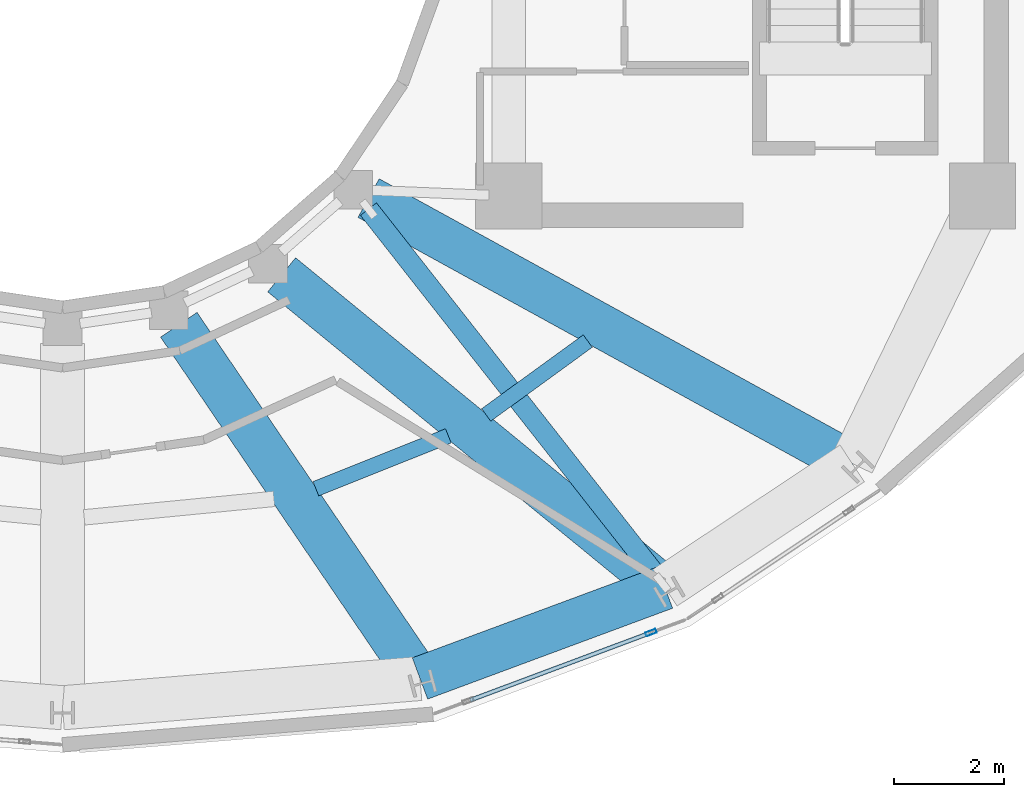
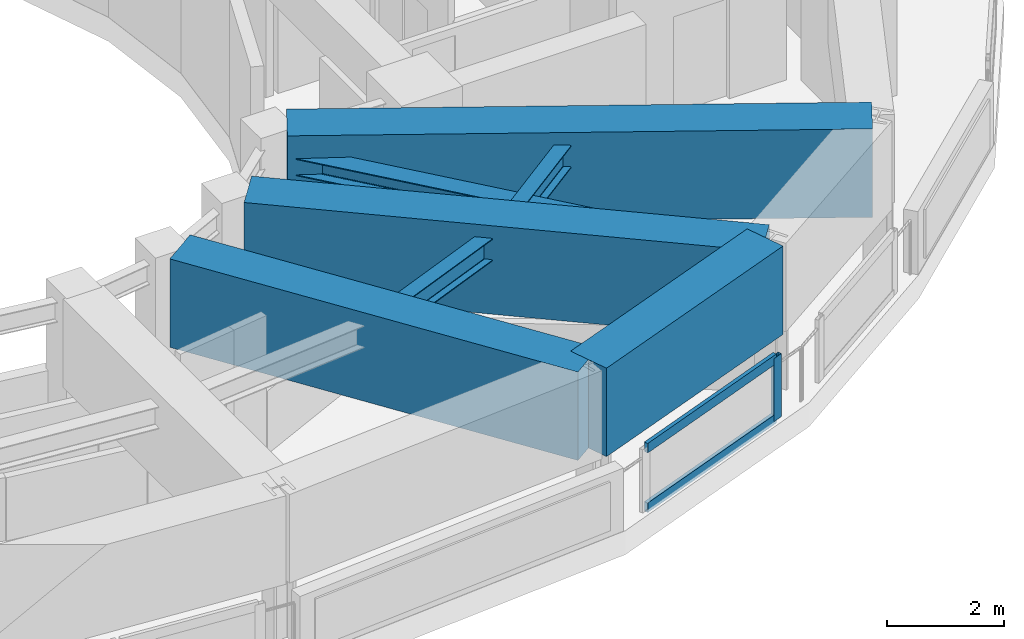
# One storey, part 6 of 21: 6 beams, 4 members, 1 element without a shape of its own.
"""IFC4 building model written with IfcOpenShell, lengths in metres."""

import ifcopenshell
import ifcopenshell.guid

model = None  # the IFC model being written
_history = None  # IfcOwnerHistory: only IFC2X3 demands one
_inside = {}  # id of a spatial element -> (the spatial element, [elements in it])
_under = {}  # id of a project, library or spatial element -> (it, [spatial elements below it])
_declared = {}  # id of a project -> (the project, [libraries it declares])
_typed = {}  # id of a type object -> (the type object, [elements of that type])
_made_of = {}  # id of a material, layer set ... -> (it, [elements and type objects made of it])


def new_model(schema):
    """Start an empty IFC model of exactly this schema.

    Asked for "IFC4X3", IfcOpenShell would pick the latest addendum, in which some entities
    have other attributes; the version numbers below select the first issue.
    IFC2X3 requires an IfcOwnerHistory on every rooted entity: one is made here for all.
    """
    global model, _history
    if schema == "IFC4X3":
        model = ifcopenshell.file(schema_version=(4, 3, 0, 0))
    else:
        model = ifcopenshell.file(schema=schema)
    _inside.clear()
    _under.clear()
    _declared.clear()
    _typed.clear()
    _made_of.clear()
    _history = None
    if model.schema == "IFC2X3":
        org = make("IfcOrganization", Name="unknown")
        user = make(
            "IfcPersonAndOrganization",
            ThePerson=make("IfcPerson", FamilyName="unknown"),
            TheOrganization=org,
        )
        app = make(
            "IfcApplication",
            ApplicationDeveloper=org,
            Version="unknown",
            ApplicationFullName="unknown",
            ApplicationIdentifier="unknown",
        )
        _history = make(
            "IfcOwnerHistory",
            OwningUser=user,
            OwningApplication=app,
            ChangeAction="ADDED",
            CreationDate=0,
        )
    return model


def make(cls, **values):
    """One entity of the class cls with the attributes given. An attribute that is None is left unset."""
    return model.create_entity(
        cls, **{name: value for name, value in values.items() if value is not None}
    )


def rooted(cls, **values):
    """An entity with a GlobalId (a new one), such as an element, a storey or a relation."""
    return make(cls, GlobalId=ifcopenshell.guid.new(), OwnerHistory=_history, **values)


def si_unit(unit_type, name, prefix=None):
    """IfcSIUnit, for example si_unit("LENGTHUNIT", "METRE", prefix="MILLI")."""
    return make("IfcSIUnit", UnitType=unit_type, Prefix=prefix, Name=name)


def assignment(units):
    """IfcUnitAssignment: the units of a project."""
    return None if units is None else make("IfcUnitAssignment", Units=units)


def point(xyz):
    """IfcCartesianPoint."""
    return None if xyz is None else make("IfcCartesianPoint", Coordinates=xyz)


def direction(xyz):
    """IfcDirection."""
    return None if xyz is None else make("IfcDirection", DirectionRatios=xyz)


def frame(location, z_axis=None, x_axis=None):
    """IfcAxis2Placement3D, a coordinate frame: its origin and axes. An axis left out is left unset."""
    return make(
        "IfcAxis2Placement3D",
        Location=point(location),
        Axis=direction(z_axis),
        RefDirection=direction(x_axis),
    )


def frame_2d(location, x_axis=None):
    """IfcAxis2Placement2D, a coordinate frame in the plane: its origin and x axis."""
    return make(
        "IfcAxis2Placement2D", Location=point(location), RefDirection=direction(x_axis)
    )


def origin():
    """The frame at (0, 0, 0) with its axes left unset."""
    return frame((0.0, 0.0, 0.0))


def origin_2d():
    """The frame at (0, 0) in the plane with its x axis left unset."""
    return frame_2d((0.0, 0.0))


def place(relative_to, where):
    """IfcLocalPlacement: puts the frame where relative to a parent placement (None: the world)."""
    return make(
        "IfcLocalPlacement", PlacementRelTo=relative_to, RelativePlacement=where
    )


def context(
    kind, dimensions, precision=None, world=None, true_north=None, identifier=None
):
    """IfcGeometricRepresentationContext, for example the 3D "Model" context."""
    return make(
        "IfcGeometricRepresentationContext",
        ContextIdentifier=identifier,
        ContextType=kind,
        CoordinateSpaceDimension=dimensions,
        Precision=precision,
        WorldCoordinateSystem=world,
        TrueNorth=true_north,
    )


def subcontext(parent, identifier, kind, view, scale=None):
    """IfcGeometricRepresentationSubContext, for example "Body" below "Model"."""
    return make(
        "IfcGeometricRepresentationSubContext",
        ContextIdentifier=identifier,
        ContextType=kind,
        ParentContext=parent,
        TargetScale=scale,
        TargetView=view,
    )


def project(units=None, contexts=None):
    """IfcProject with its units and contexts."""
    return rooted(
        "IfcProject",
        Name="project",
        RepresentationContexts=contexts,
        UnitsInContext=assignment(units),
    )


def spatial(cls, under=None, at=None, **own):
    """A site, building, storey or space (cls), placed at a placement, below another one or the project."""
    s = rooted(cls, ObjectPlacement=at, **own)
    if under is not None:
        _under.setdefault(under.id(), (under, []))[1].append(s)
    return s


def profile(cls, at=None, kind="AREA", **sizes):
    """A parametric profile (cls). Its sizes go by their IFC names, for example OverallWidth=200.0."""
    return make(cls, ProfileType=kind, Position=at, **sizes)


def rectangle(**sizes):
    """IfcRectangleProfileDef."""
    return profile("IfcRectangleProfileDef", **sizes)


def hollow_rectangle(**sizes):
    """IfcRectangleHollowProfileDef."""
    return profile("IfcRectangleHollowProfileDef", **sizes)


def i_section(**sizes):
    """IfcIShapeProfileDef."""
    return profile("IfcIShapeProfileDef", **sizes)


def extrude(swept, where, along, depth):
    """IfcExtrudedAreaSolid: the profile swept, set in the frame where, extruded along a direction by depth."""
    return make(
        "IfcExtrudedAreaSolid",
        SweptArea=swept,
        Position=where,
        ExtrudedDirection=direction(along),
        Depth=depth,
    )


def shape(context_of_items, identifier, shape_type, items):
    """IfcShapeRepresentation: the items that make up one representation, for example the "Body"."""
    return make(
        "IfcShapeRepresentation",
        ContextOfItems=context_of_items,
        RepresentationIdentifier=identifier,
        RepresentationType=shape_type,
        Items=items,
    )


def material(Name=None, Category=None):
    """IfcMaterial."""
    return make("IfcMaterial", Name=Name, Category=Category)


def layer(
    of_material, thickness, ventilated=None, Name=None, Category=None, Priority=None
):
    """IfcMaterialLayer: one layer of a wall or slab, of a material (None: an air gap)."""
    return make(
        "IfcMaterialLayer",
        Material=of_material,
        LayerThickness=thickness,
        IsVentilated=ventilated,
        Name=Name,
        Category=Category,
        Priority=Priority,
    )


def layer_set(layers, Name=None):
    """IfcMaterialLayerSet."""
    return make("IfcMaterialLayerSet", MaterialLayers=layers, LayerSetName=Name)


def material_profile(
    of_material, cross_section, Name=None, Category=None, Priority=None
):
    """IfcMaterialProfile: a cross section and its material."""
    return make(
        "IfcMaterialProfile",
        Name=Name,
        Material=of_material,
        Profile=cross_section,
        Priority=Priority,
        Category=Category,
    )


def profile_set(profiles, Name=None, composite=None):
    """IfcMaterialProfileSet."""
    return make(
        "IfcMaterialProfileSet",
        Name=Name,
        MaterialProfiles=profiles,
        CompositeProfile=composite,
    )


def made_of(thing, what):
    """Note that an element or type object is made of a material, layer set ...; save() writes the relation."""
    if what is not None:
        _made_of.setdefault(what.id(), (what, []))[1].append(thing)
    return thing


def type_object(cls, material=None, **own):
    """A type object (cls), such as IfcWallType, which elements share."""
    return made_of(rooted(cls, **own), material)


def element(
    cls,
    number,
    at=None,
    inside=None,
    cuts=None,
    type_object=None,
    material=None,
    context=None,
    identifier="Body",
    shape_type=None,
    held_by="IfcProductDefinitionShape",
    body=None,
    shapes=None,
    **own,
):
    """One element of the class cls, such as IfcWall. Its Tag is "e" and its number.

    at: its placement. inside: the storey or other place that contains it. cuts: it is an
    opening in that element (IfcRelVoidsElement). A single representation is given by context,
    identifier, shape_type and body (its items); several are given by shapes. held_by: the class
    of the entity that holds the representations. save() writes the other relations.
    """
    e = rooted(cls, Tag="e%d" % number, ObjectPlacement=at, **own)
    if body is not None:
        shapes = [shape(context, identifier, shape_type, body)]
    if shapes is not None:
        e.Representation = make(held_by, Representations=shapes)
    if inside is not None:
        _inside.setdefault(inside.id(), (inside, []))[1].append(e)
    if cuts is not None:
        rooted(
            "IfcRelVoidsElement", RelatingBuildingElement=cuts, RelatedOpeningElement=e
        )
    if type_object is not None:
        _typed.setdefault(type_object.id(), (type_object, []))[1].append(e)
    return made_of(e, material)


def aggregate(whole, parts):
    """IfcRelAggregates: a whole, such as a stair, and the parts it consists of."""
    return rooted("IfcRelAggregates", RelatingObject=whole, RelatedObjects=parts)


def save(model, path):
    """Write the relations noted so far, then the file.

    IfcRelAggregates (storeys below a building ...), IfcRelContainedInSpatialStructure (elements
    in a storey), IfcRelDefinesByType, IfcRelAssociatesMaterial and IfcRelDeclares: one each for
    every whole, place, type object, material and project.
    """
    for whole, parts in _under.values():
        aggregate(whole, parts)
    for where, things in _inside.values():
        rooted(
            "IfcRelContainedInSpatialStructure",
            RelatedElements=things,
            RelatingStructure=where,
        )
    for kind, things in _typed.values():
        rooted("IfcRelDefinesByType", RelatedObjects=things, RelatingType=kind)
    for what, things in _made_of.values():
        rooted("IfcRelAssociatesMaterial", RelatedObjects=things, RelatingMaterial=what)
    for by, libraries in _declared.values():
        rooted("IfcRelDeclares", RelatingContext=by, RelatedDefinitions=libraries)
    model.write(path)


model = new_model("IFC4")

# Units and contexts
model_context = context("Model", 3, precision=1e-05, world=origin(), true_north=direction((0.0, 1.0)))
body_context = subcontext(model_context, "Body", "Model", "MODEL_VIEW")
ifc_project = project(units=[si_unit("LENGTHUNIT", "METRE"), si_unit("AREAUNIT", "SQUARE_METRE"), si_unit("VOLUMEUNIT", "CUBIC_METRE"), si_unit("PLANEANGLEUNIT", "RADIAN"), si_unit("MASSUNIT", "GRAM", prefix="KILO")], contexts=[model_context])

# Site, building, storey
site_placement = place(None, origin())
site = spatial("IfcSite", under=ifc_project, at=site_placement, CompositionType="ELEMENT")
building_placement = place(site_placement, origin())
building = spatial("IfcBuilding", under=site, at=building_placement, Name="Solvane Sanctuary Tower", CompositionType="ELEMENT")
storey_placement = place(building_placement, frame((0.0, 0.0, 260.39990234375)))
storey = spatial("IfcBuildingStorey", under=building, at=storey_placement, Name="L79", CompositionType="ELEMENT", Elevation=260.39990234375)

# Beams
ifc_material_1 = material(Name="Steel ASTM A992 Grade 50", Category="steel")
ifc_material_profile_1 = material_profile(ifc_material_1, i_section(OverallWidth=0.280029296875, OverallDepth=0.462890625, WebThickness=0.0107421875, FlangeThickness=0.017333984375, FilletRadius=0.013916015625, at=origin_2d()), Name="W18X76")
ifc_profile_set_1 = profile_set([ifc_material_profile_1], Name="Steel ASTM A992 Grade 50")
beam_type_1 = type_object("IfcBeamType", Name="Beam B-SEC-JOIST W18X76", PredefinedType="JOIST", material=ifc_profile_set_1)
beam_1_placement = place(storey_placement, frame((36.59912109375, 11.587890625, 2.70654296875), z_axis=(0.928781983556, 0.370626533079, 0.0), x_axis=(-0.370626533079, 0.928781983556, 0.0)))
element("IfcBeam", 1, at=beam_1_placement, inside=storey, type_object=beam_type_1, Name="L79 Secondary Circumferential Joist 12-13", PredefinedType="JOIST", context=body_context, shape_type="SweptSolid", body=[
    extrude(i_section(OverallWidth=0.280029296875, OverallDepth=0.462890625, WebThickness=0.0107421875, FlangeThickness=0.017333984375, FilletRadius=0.013916015625, at=origin_2d()), origin(), (0.0, 0.0, 1.0), 2.58935546875),
])
beam_2_placement = place(storey_placement, frame((39.6904296875, 12.926513671875, 2.70654296875), z_axis=(0.808675899107, 0.58825444342, 0.0), x_axis=(-0.58825444342, 0.808675899107, 0.0)))
element("IfcBeam", 2, at=beam_2_placement, inside=storey, type_object=beam_type_1, Name="L79 Secondary Circumferential Joist 13-14", PredefinedType="JOIST", context=body_context, shape_type="SweptSolid", body=[
    extrude(i_section(OverallWidth=0.280029296875, OverallDepth=0.462890625, WebThickness=0.0107421875, FlangeThickness=0.017333984375, FilletRadius=0.013916015625, at=origin_2d()), origin(), (0.0, 0.0, 1.0), 2.280517578125),
])
ifc_material_2 = material(Name="Concrete C70/85", Category="concrete")
ifc_material_profile_2 = material_profile(ifc_material_2, rectangle(XDim=0.800048828125, YDim=1.85009765625, at=origin_2d()), Name="RC800X1850")
ifc_profile_set_2 = profile_set([ifc_material_profile_2], Name="Concrete C70/85")
beam_type_2 = type_object("IfcBeamType", Name="Beam B-XFER-BLK RC800X1850", PredefinedType="BEAM", material=ifc_profile_set_2)
beam_3_placement = place(storey_placement, frame((34.110595703125, 14.563720703125, 2.275146484375), z_axis=(0.562074506433, -0.827086603215, 0.0), x_axis=(0.827086603215, 0.562074506433, 0.0)))
element("IfcBeam", 3, at=beam_3_placement, inside=storey, type_object=beam_type_2, Name="L79 Block-Shift Radial Transfer Girder 12A", PredefinedType="BEAM", context=body_context, shape_type="SweptSolid", body=[
    extrude(rectangle(XDim=0.800048828125, YDim=1.85009765625, at=origin_2d()), origin(), (0.0, 0.0, 1.0), 7.769775390625),
])
beam_4_placement = place(storey_placement, frame((35.977783203125, 15.470703125, 2.275146484375), z_axis=(0.773916156075, -0.63328807297, 0.0), x_axis=(0.63328807297, 0.773916156075, 0.0)))
element("IfcBeam", 4, at=beam_4_placement, inside=storey, type_object=beam_type_2, Name="L79 Block-Shift Radial Transfer Girder 13A", PredefinedType="BEAM", context=body_context, shape_type="SweptSolid", body=[
    extrude(rectangle(XDim=0.800048828125, YDim=1.85009765625, at=origin_2d()), origin(), (0.0, 0.0, 1.0), 8.989501953125),
])
beam_5_placement = place(storey_placement, frame((37.555419921875, 16.86376953125, 2.275146484375), z_axis=(0.876295544631, -0.481773928787, 0.0), x_axis=(0.481773928787, 0.876295544631, 0.0)))
element("IfcBeam", 5, at=beam_5_placement, inside=storey, type_object=beam_type_2, Name="L79 Block-Shift Radial Transfer Girder 14A", PredefinedType="BEAM", context=body_context, shape_type="SweptSolid", body=[
    extrude(rectangle(XDim=0.800048828125, YDim=1.85009765625, at=origin_2d()), origin(), (0.0, 0.0, 1.0), 10.03125),
])
beam_6_placement = place(storey_placement, frame((38.48876953125, 8.142578125, 2.275146484375), z_axis=(0.937541853236, 0.347872495939, 0.0), x_axis=(-0.347872495939, 0.937541853236, 0.0)))
element("IfcBeam", 6, at=beam_6_placement, inside=storey, type_object=beam_type_2, Name="L79 Perimeter Step Transfer Ring NTC12-NTC13", PredefinedType="BEAM", context=body_context, shape_type="SweptSolid", body=[
    extrude(rectangle(XDim=0.800048828125, YDim=1.85009765625, at=origin_2d()), origin(), (0.0, 0.0, 1.0), 4.74365234375),
])

# Member
ifc_material_profile_3 = material_profile(ifc_material_1, i_section(OverallWidth=0.368896484375, OverallDepth=0.35595703125, WebThickness=0.01123046875, FlangeThickness=0.01806640625, FilletRadius=0.02490234375, at=origin_2d()), Name="W14X90")
ifc_profile_set_3 = profile_set([ifc_material_profile_3], Name="Steel ASTM A992 Grade 50")
member_type_1 = type_object("IfcMemberType", Name="Member M-CROWN-TIE W14X90", PredefinedType="CHORD", material=ifc_profile_set_3)
member_1_placement = place(storey_placement, frame((37.555908203125, 16.66015625, 2.540283203125), z_axis=(0.617589777425, -0.786175324779, 0.022610296939), x_axis=(0.786376358311, 0.617747701809, 0.0)))
element("IfcMember", 7, at=member_1_placement, inside=storey, type_object=member_type_1, Name="L79 Crown Bracing Tie 14", PredefinedType="CHORD", context=body_context, shape_type="SweptSolid", body=[
    extrude(i_section(OverallWidth=0.368896484375, OverallDepth=0.35595703125, WebThickness=0.01123046875, FlangeThickness=0.01806640625, FilletRadius=0.02490234375, at=origin_2d()), origin(), (0.0, 0.0, 1.0), 8.61669921875),
])

# Curtain wall, members
ifc_material_3 = material(Name="Anodised Aluminium 6063-T6", Category="aluminium")
ifc_layer = layer(ifc_material_3, 0.219970703125, Name="Anodised Aluminium 6063-T6")
ifc_layer_set = layer_set([ifc_layer], Name="Anodised Aluminium 6063-T6")
curtain_wall_type = type_object("IfcCurtainWallType", Name="Curtain Wall CW-CROWN", PredefinedType="NOTDEFINED", material=ifc_layer_set)
curtain_wall_placement = place(storey_placement, origin())
curtain_wall = element("IfcCurtainWall", 8, at=curtain_wall_placement, inside=storey, type_object=curtain_wall_type, Name="L79 Crown Fritted Lantern Curtain Wall 19", PredefinedType="NOTDEFINED")
ifc_material_profile_4 = material_profile(ifc_material_3, hollow_rectangle(XDim=0.074951171875, YDim=0.199951171875, WallThickness=0.00390625, at=origin_2d()), Name="ALU200X75X4")
ifc_profile_set_4 = profile_set([ifc_material_profile_4], Name="Anodised Aluminium 6063-T6")
member_type_2 = type_object("IfcMemberType", Name="Member M-CW-MUL-1 ALU200X75X4", PredefinedType="MULLION", material=ifc_profile_set_4)
member_2_placement = place(storey_placement, frame((42.68310546875, 8.97607421875, 0.0), z_axis=(0.0, 0.0, 1.0), x_axis=(-0.350162997497, 0.936688782459, 0.0)))
member_2 = element("IfcMember", 9, at=member_2_placement, type_object=member_type_2, Name="CW-CROWN mullion 2", PredefinedType="MULLION", context=body_context, shape_type="SweptSolid", body=[
    extrude(hollow_rectangle(XDim=0.074951171875, YDim=0.199951171875, WallThickness=0.00390625, at=origin_2d()), origin(), (0.0, 0.0, 1.0), 1.320068359375),
])
ifc_material_profile_5 = material_profile(ifc_material_3, hollow_rectangle(XDim=0.074951171875, YDim=0.199951171875, WallThickness=0.00390625, at=origin_2d()), Name="ALU200X75X4")
ifc_profile_set_5 = profile_set([ifc_material_profile_5], Name="Anodised Aluminium 6063-T6")
member_type_3 = type_object("IfcMemberType", Name="Member M-CW-TRN-2 ALU200X75X4", PredefinedType="USERDEFINED", material=ifc_profile_set_5)
member_3_placement = place(storey_placement, frame((39.39990234375, 7.748779296875, 0.03759765625), z_axis=(0.936675925427, 0.350197388235, 0.0), x_axis=(-0.350197388235, 0.936675925427, 0.0)))
member_3 = element("IfcMember", 10, at=member_3_placement, type_object=member_type_3, Name="CW-CROWN transom 1.1", ObjectType="TRANSOM", PredefinedType="USERDEFINED", context=body_context, shape_type="SweptSolid", body=[
    extrude(hollow_rectangle(XDim=0.074951171875, YDim=0.199951171875, WallThickness=0.00390625, at=origin_2d()), origin(), (0.0, 0.0, 1.0), 3.467529296875),
])
member_4_placement = place(storey_placement, frame((39.39990234375, 7.748779296875, 1.28271484375), z_axis=(0.936675925427, 0.350197388235, 0.0), x_axis=(-0.350197388235, 0.936675925427, 0.0)))
member_4 = element("IfcMember", 11, at=member_4_placement, type_object=member_type_3, Name="CW-CROWN transom 1.2", ObjectType="TRANSOM", PredefinedType="USERDEFINED", context=body_context, shape_type="SweptSolid", body=[
    extrude(hollow_rectangle(XDim=0.074951171875, YDim=0.199951171875, WallThickness=0.00390625, at=origin_2d()), origin(), (0.0, 0.0, 1.0), 3.467529296875),
])
aggregate(curtain_wall, [member_2, member_3, member_4])

save(model, "model.ifc")
